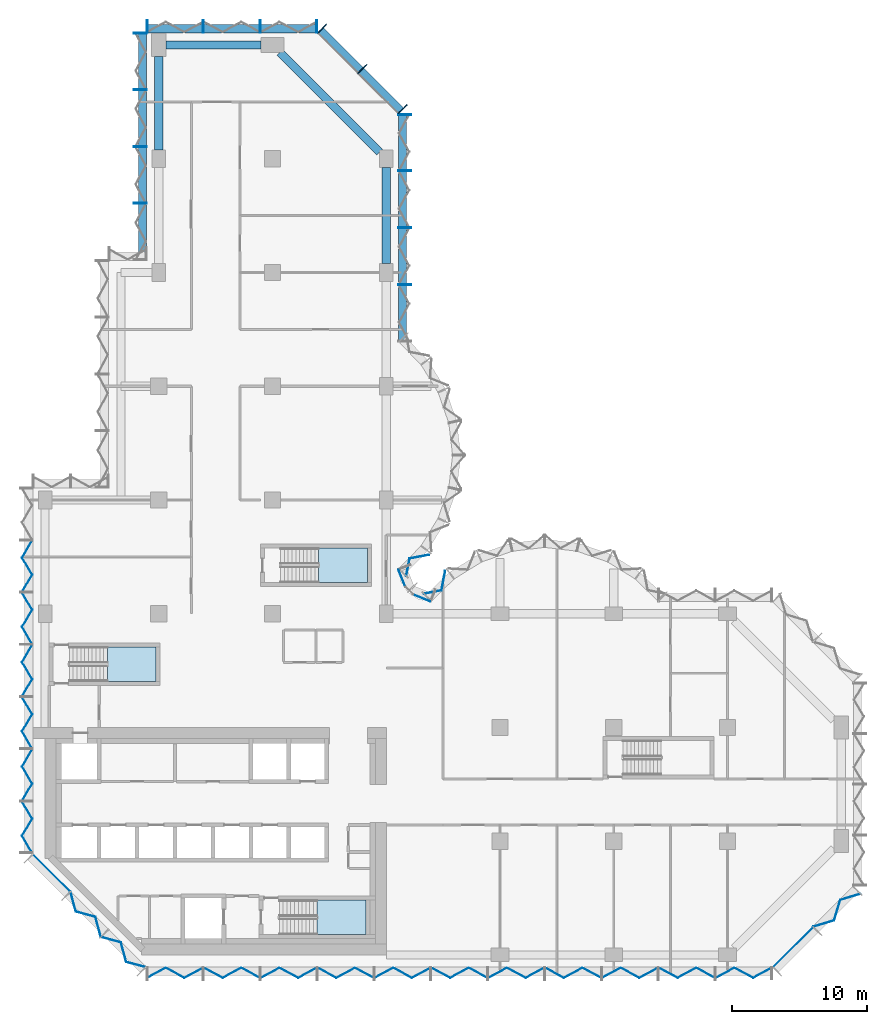
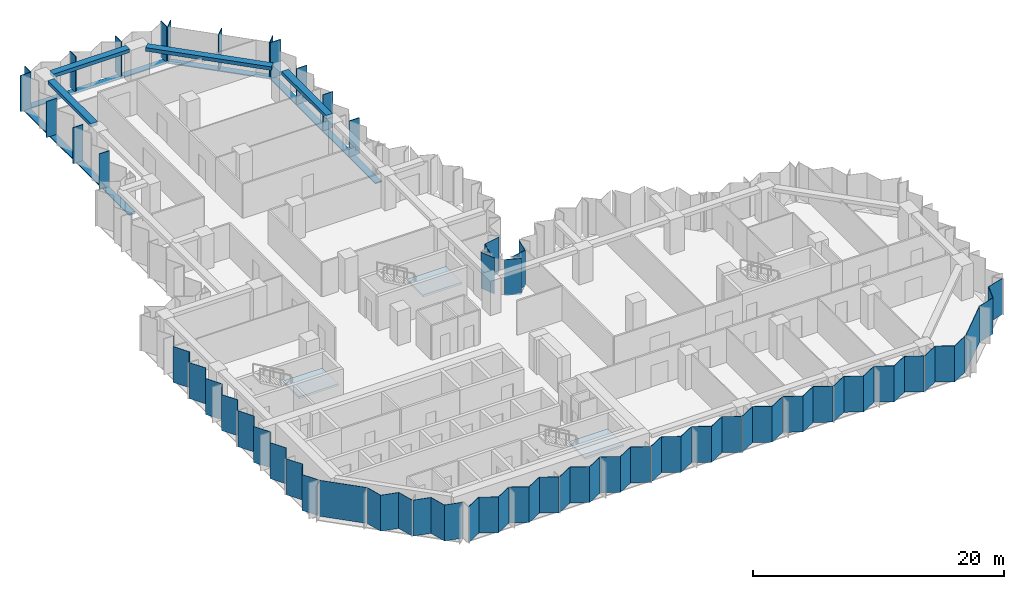
# One storey, part 3 of 11: 26 plates, 19 members, 4 beams, 3 slabs, 14 elements without a shape of their own.
"""IFC4 building model written with IfcOpenShell, lengths in metres."""

import ifcopenshell
import ifcopenshell.guid

model = None  # the IFC model being written
_history = None  # IfcOwnerHistory: only IFC2X3 demands one
_inside = {}  # id of a spatial element -> (the spatial element, [elements in it])
_under = {}  # id of a project, library or spatial element -> (it, [spatial elements below it])
_declared = {}  # id of a project -> (the project, [libraries it declares])
_typed = {}  # id of a type object -> (the type object, [elements of that type])
_made_of = {}  # id of a material, layer set ... -> (it, [elements and type objects made of it])


def new_model(schema):
    """Start an empty IFC model of exactly this schema.

    Asked for "IFC4X3", IfcOpenShell would pick the latest addendum, in which some entities
    have other attributes; the version numbers below select the first issue.
    IFC2X3 requires an IfcOwnerHistory on every rooted entity: one is made here for all.
    """
    global model, _history
    if schema == "IFC4X3":
        model = ifcopenshell.file(schema_version=(4, 3, 0, 0))
    else:
        model = ifcopenshell.file(schema=schema)
    _inside.clear()
    _under.clear()
    _declared.clear()
    _typed.clear()
    _made_of.clear()
    _history = None
    if model.schema == "IFC2X3":
        org = make("IfcOrganization", Name="unknown")
        user = make(
            "IfcPersonAndOrganization",
            ThePerson=make("IfcPerson", FamilyName="unknown"),
            TheOrganization=org,
        )
        app = make(
            "IfcApplication",
            ApplicationDeveloper=org,
            Version="unknown",
            ApplicationFullName="unknown",
            ApplicationIdentifier="unknown",
        )
        _history = make(
            "IfcOwnerHistory",
            OwningUser=user,
            OwningApplication=app,
            ChangeAction="ADDED",
            CreationDate=0,
        )
    return model


def make(cls, **values):
    """One entity of the class cls with the attributes given. An attribute that is None is left unset."""
    return model.create_entity(
        cls, **{name: value for name, value in values.items() if value is not None}
    )


def rooted(cls, **values):
    """An entity with a GlobalId (a new one), such as an element, a storey or a relation."""
    return make(cls, GlobalId=ifcopenshell.guid.new(), OwnerHistory=_history, **values)


def si_unit(unit_type, name, prefix=None):
    """IfcSIUnit, for example si_unit("LENGTHUNIT", "METRE", prefix="MILLI")."""
    return make("IfcSIUnit", UnitType=unit_type, Prefix=prefix, Name=name)


def assignment(units):
    """IfcUnitAssignment: the units of a project."""
    return None if units is None else make("IfcUnitAssignment", Units=units)


def point(xyz):
    """IfcCartesianPoint."""
    return None if xyz is None else make("IfcCartesianPoint", Coordinates=xyz)


def direction(xyz):
    """IfcDirection."""
    return None if xyz is None else make("IfcDirection", DirectionRatios=xyz)


def frame(location, z_axis=None, x_axis=None):
    """IfcAxis2Placement3D, a coordinate frame: its origin and axes. An axis left out is left unset."""
    return make(
        "IfcAxis2Placement3D",
        Location=point(location),
        Axis=direction(z_axis),
        RefDirection=direction(x_axis),
    )


def frame_2d(location, x_axis=None):
    """IfcAxis2Placement2D, a coordinate frame in the plane: its origin and x axis."""
    return make(
        "IfcAxis2Placement2D", Location=point(location), RefDirection=direction(x_axis)
    )


def origin():
    """The frame at (0, 0, 0) with its axes left unset."""
    return frame((0.0, 0.0, 0.0))


def origin_2d():
    """The frame at (0, 0) in the plane with its x axis left unset."""
    return frame_2d((0.0, 0.0))


def place(relative_to, where):
    """IfcLocalPlacement: puts the frame where relative to a parent placement (None: the world)."""
    return make(
        "IfcLocalPlacement", PlacementRelTo=relative_to, RelativePlacement=where
    )


def context(
    kind, dimensions, precision=None, world=None, true_north=None, identifier=None
):
    """IfcGeometricRepresentationContext, for example the 3D "Model" context."""
    return make(
        "IfcGeometricRepresentationContext",
        ContextIdentifier=identifier,
        ContextType=kind,
        CoordinateSpaceDimension=dimensions,
        Precision=precision,
        WorldCoordinateSystem=world,
        TrueNorth=true_north,
    )


def subcontext(parent, identifier, kind, view, scale=None):
    """IfcGeometricRepresentationSubContext, for example "Body" below "Model"."""
    return make(
        "IfcGeometricRepresentationSubContext",
        ContextIdentifier=identifier,
        ContextType=kind,
        ParentContext=parent,
        TargetScale=scale,
        TargetView=view,
    )


def project(units=None, contexts=None):
    """IfcProject with its units and contexts."""
    return rooted(
        "IfcProject",
        Name="project",
        RepresentationContexts=contexts,
        UnitsInContext=assignment(units),
    )


def spatial(cls, under=None, at=None, **own):
    """A site, building, storey or space (cls), placed at a placement, below another one or the project."""
    s = rooted(cls, ObjectPlacement=at, **own)
    if under is not None:
        _under.setdefault(under.id(), (under, []))[1].append(s)
    return s


def polyline(points):
    """IfcPolyline through the points."""
    return make("IfcPolyline", Points=[point(p) for p in points])


def profile(cls, at=None, kind="AREA", **sizes):
    """A parametric profile (cls). Its sizes go by their IFC names, for example OverallWidth=200.0."""
    return make(cls, ProfileType=kind, Position=at, **sizes)


def rectangle(**sizes):
    """IfcRectangleProfileDef."""
    return profile("IfcRectangleProfileDef", **sizes)


def outline(outer, holes=None, kind="AREA"):
    """IfcArbitraryClosedProfileDef: a profile drawn as a closed curve; with holes, ...WithVoids."""
    if holes is None:
        return make("IfcArbitraryClosedProfileDef", ProfileType=kind, OuterCurve=outer)
    return make(
        "IfcArbitraryProfileDefWithVoids",
        ProfileType=kind,
        OuterCurve=outer,
        InnerCurves=holes,
    )


def extrude(swept, where, along, depth):
    """IfcExtrudedAreaSolid: the profile swept, set in the frame where, extruded along a direction by depth."""
    return make(
        "IfcExtrudedAreaSolid",
        SweptArea=swept,
        Position=where,
        ExtrudedDirection=direction(along),
        Depth=depth,
    )


def shape(context_of_items, identifier, shape_type, items):
    """IfcShapeRepresentation: the items that make up one representation, for example the "Body"."""
    return make(
        "IfcShapeRepresentation",
        ContextOfItems=context_of_items,
        RepresentationIdentifier=identifier,
        RepresentationType=shape_type,
        Items=items,
    )


def material(Name=None, Category=None):
    """IfcMaterial."""
    return make("IfcMaterial", Name=Name, Category=Category)


def layer(
    of_material, thickness, ventilated=None, Name=None, Category=None, Priority=None
):
    """IfcMaterialLayer: one layer of a wall or slab, of a material (None: an air gap)."""
    return make(
        "IfcMaterialLayer",
        Material=of_material,
        LayerThickness=thickness,
        IsVentilated=ventilated,
        Name=Name,
        Category=Category,
        Priority=Priority,
    )


def layer_set(layers, Name=None):
    """IfcMaterialLayerSet."""
    return make("IfcMaterialLayerSet", MaterialLayers=layers, LayerSetName=Name)


def material_profile(
    of_material, cross_section, Name=None, Category=None, Priority=None
):
    """IfcMaterialProfile: a cross section and its material."""
    return make(
        "IfcMaterialProfile",
        Name=Name,
        Material=of_material,
        Profile=cross_section,
        Priority=Priority,
        Category=Category,
    )


def profile_set(profiles, Name=None, composite=None):
    """IfcMaterialProfileSet."""
    return make(
        "IfcMaterialProfileSet",
        Name=Name,
        MaterialProfiles=profiles,
        CompositeProfile=composite,
    )


def made_of(thing, what):
    """Note that an element or type object is made of a material, layer set ...; save() writes the relation."""
    if what is not None:
        _made_of.setdefault(what.id(), (what, []))[1].append(thing)
    return thing


def type_object(cls, material=None, **own):
    """A type object (cls), such as IfcWallType, which elements share."""
    return made_of(rooted(cls, **own), material)


def element(
    cls,
    number,
    at=None,
    inside=None,
    cuts=None,
    type_object=None,
    material=None,
    context=None,
    identifier="Body",
    shape_type=None,
    held_by="IfcProductDefinitionShape",
    body=None,
    shapes=None,
    **own,
):
    """One element of the class cls, such as IfcWall. Its Tag is "e" and its number.

    at: its placement. inside: the storey or other place that contains it. cuts: it is an
    opening in that element (IfcRelVoidsElement). A single representation is given by context,
    identifier, shape_type and body (its items); several are given by shapes. held_by: the class
    of the entity that holds the representations. save() writes the other relations.
    """
    e = rooted(cls, Tag="e%d" % number, ObjectPlacement=at, **own)
    if body is not None:
        shapes = [shape(context, identifier, shape_type, body)]
    if shapes is not None:
        e.Representation = make(held_by, Representations=shapes)
    if inside is not None:
        _inside.setdefault(inside.id(), (inside, []))[1].append(e)
    if cuts is not None:
        rooted(
            "IfcRelVoidsElement", RelatingBuildingElement=cuts, RelatedOpeningElement=e
        )
    if type_object is not None:
        _typed.setdefault(type_object.id(), (type_object, []))[1].append(e)
    return made_of(e, material)


def aggregate(whole, parts):
    """IfcRelAggregates: a whole, such as a stair, and the parts it consists of."""
    return rooted("IfcRelAggregates", RelatingObject=whole, RelatedObjects=parts)


def save(model, path):
    """Write the relations noted so far, then the file.

    IfcRelAggregates (storeys below a building ...), IfcRelContainedInSpatialStructure (elements
    in a storey), IfcRelDefinesByType, IfcRelAssociatesMaterial and IfcRelDeclares: one each for
    every whole, place, type object, material and project.
    """
    for whole, parts in _under.values():
        aggregate(whole, parts)
    for where, things in _inside.values():
        rooted(
            "IfcRelContainedInSpatialStructure",
            RelatedElements=things,
            RelatingStructure=where,
        )
    for kind, things in _typed.values():
        rooted("IfcRelDefinesByType", RelatedObjects=things, RelatingType=kind)
    for what, things in _made_of.values():
        rooted("IfcRelAssociatesMaterial", RelatedObjects=things, RelatingMaterial=what)
    for by, libraries in _declared.values():
        rooted("IfcRelDeclares", RelatingContext=by, RelatedDefinitions=libraries)
    model.write(path)


model = new_model("IFC4")

# Units and contexts
model_context = context("Model", 3, precision=1e-05, world=origin(), true_north=direction((0.0, 1.0)))
body_context = subcontext(model_context, "Body", "Model", "MODEL_VIEW")
ifc_project = project(units=[si_unit("LENGTHUNIT", "METRE"), si_unit("AREAUNIT", "SQUARE_METRE"), si_unit("VOLUMEUNIT", "CUBIC_METRE"), si_unit("PLANEANGLEUNIT", "RADIAN"), si_unit("MASSUNIT", "GRAM", prefix="KILO")], contexts=[model_context])

# Site, building, storey
site_placement = place(None, origin())
site = spatial("IfcSite", under=ifc_project, at=site_placement, CompositionType="ELEMENT")
building_placement = place(site_placement, origin())
building = spatial("IfcBuilding", under=site, at=building_placement, Name="Brevane Broadcast Tower", CompositionType="ELEMENT")
storey_placement = place(building_placement, frame((0.0, 0.0, 145.699951171875)))
storey = spatial("IfcBuildingStorey", under=building, at=storey_placement, Name="L36", CompositionType="ELEMENT", Elevation=145.699951171875)

# Curtain wall, members
ifc_material_1 = material(Name="Aluminium 6063-T6 bronze anodised", Category="aluminium")
curtain_wall_type = type_object("IfcCurtainWallType", Name="CW-1 curtain wall", PredefinedType="NOTDEFINED", material=ifc_material_1)
curtain_wall_1_placement = place(storey_placement, origin())
curtain_wall_1 = element("IfcCurtainWall", 1, at=curtain_wall_1_placement, inside=storey, type_object=curtain_wall_type, Name="CW-1 typical tilted unit L36 north arm east face", PredefinedType="NOTDEFINED")
ifc_material_profile_1 = material_profile(ifc_material_1, rectangle(XDim=0.949951171875, YDim=0.070068359375, at=origin_2d()), Name="RECT 70x950")
ifc_profile_set_1 = profile_set([ifc_material_profile_1], Name="Aluminium 6063-T6 bronze anodised")
member_type_1 = type_object("IfcMemberType", Name="CW-1 mullion 70x950", PredefinedType="MULLION", material=ifc_profile_set_1)
member_1_placement = place(storey_placement, frame((26.574951171875, 49.5, -0.14990234375), z_axis=(0.0, 0.0, 1.0), x_axis=(-1.0, 0.0, 0.0)))
member_1 = element("IfcMember", 2, at=member_1_placement, type_object=member_type_1, Name="CW-1 mullion", PredefinedType="MULLION", context=body_context, shape_type="SweptSolid", body=[
    extrude(rectangle(XDim=0.949951171875, YDim=0.070068359375, at=origin_2d()), origin(), (0.0, 0.0, 1.0), 3.5),
])
member_2_placement = place(storey_placement, frame((26.574951171875, 53.699951171875, -0.14990234375), z_axis=(0.0, 0.0, 1.0), x_axis=(-1.0, 0.0, 0.0)))
member_2 = element("IfcMember", 3, at=member_2_placement, type_object=member_type_1, Name="CW-1 mullion", PredefinedType="MULLION", context=body_context, shape_type="SweptSolid", body=[
    extrude(rectangle(XDim=0.949951171875, YDim=0.070068359375, at=origin_2d()), origin(), (0.0, 0.0, 1.0), 3.5),
])
member_3_placement = place(storey_placement, frame((26.574951171875, 57.89990234375, -0.14990234375), z_axis=(0.0, 0.0, 1.0), x_axis=(-1.0, 0.0, 0.0)))
member_3 = element("IfcMember", 4, at=member_3_placement, type_object=member_type_1, Name="CW-1 mullion", PredefinedType="MULLION", context=body_context, shape_type="SweptSolid", body=[
    extrude(rectangle(XDim=0.949951171875, YDim=0.070068359375, at=origin_2d()), origin(), (0.0, 0.0, 1.0), 3.5),
])
member_4_placement = place(storey_placement, frame((26.574951171875, 62.06494140625, -0.14990234375), z_axis=(0.0, 0.0, 1.0), x_axis=(-1.0, 0.0, 0.0)))
member_4 = element("IfcMember", 5, at=member_4_placement, type_object=member_type_1, Name="CW-1 mullion", PredefinedType="MULLION", context=body_context, shape_type="SweptSolid", body=[
    extrude(rectangle(XDim=0.949951171875, YDim=0.070068359375, at=origin_2d()), origin(), (0.0, 0.0, 1.0), 3.5),
])

curtain_wall_2_placement = place(storey_placement, origin())
curtain_wall_2 = element("IfcCurtainWall", 6, at=curtain_wall_2_placement, inside=storey, type_object=curtain_wall_type, Name="CW-1 typical tilted unit L36 north arm north-east chamfer", PredefinedType="NOTDEFINED")
member_5_placement = place(storey_placement, frame((26.4111328125, 62.460693359375, -0.14990234375), z_axis=(0.0, 0.0, 1.0), x_axis=(-0.707106781187, -0.707106781187, 0.0)))
member_5 = element("IfcMember", 7, at=member_5_placement, type_object=member_type_1, Name="CW-1 mullion", PredefinedType="MULLION", context=body_context, shape_type="SweptSolid", body=[
    extrude(rectangle(XDim=0.949951171875, YDim=0.070068359375, at=origin_2d()), origin(), (0.0, 0.0, 1.0), 3.5),
])
member_6_placement = place(storey_placement, frame((23.435791015625, 65.435791015625, -0.14990234375), z_axis=(0.0, 0.0, 1.0), x_axis=(-0.707106781187, -0.707106781187, 0.0)))
member_6 = element("IfcMember", 8, at=member_6_placement, type_object=member_type_1, Name="CW-1 mullion", PredefinedType="MULLION", context=body_context, shape_type="SweptSolid", body=[
    extrude(rectangle(XDim=0.949951171875, YDim=0.070068359375, at=origin_2d()), origin(), (0.0, 0.0, 1.0), 3.5),
])
member_7_placement = place(storey_placement, frame((20.460693359375, 68.4111328125, -0.14990234375), z_axis=(0.0, 0.0, 1.0), x_axis=(-0.707106781187, -0.707106781187, 0.0)))
member_7 = element("IfcMember", 9, at=member_7_placement, type_object=member_type_1, Name="CW-1 mullion", PredefinedType="MULLION", context=body_context, shape_type="SweptSolid", body=[
    extrude(rectangle(XDim=0.949951171875, YDim=0.070068359375, at=origin_2d()), origin(), (0.0, 0.0, 1.0), 3.5),
])

curtain_wall_3_placement = place(storey_placement, origin())
curtain_wall_3 = element("IfcCurtainWall", 10, at=curtain_wall_3_placement, inside=storey, type_object=curtain_wall_type, Name="CW-1 typical tilted unit L36 north end", PredefinedType="NOTDEFINED")
member_8_placement = place(storey_placement, frame((20.06494140625, 68.574951171875, -0.14990234375), z_axis=(0.0, 0.0, 1.0), x_axis=(0.0, -1.0, 0.0)))
member_8 = element("IfcMember", 11, at=member_8_placement, type_object=member_type_1, Name="CW-1 mullion", PredefinedType="MULLION", context=body_context, shape_type="SweptSolid", body=[
    extrude(rectangle(XDim=0.949951171875, YDim=0.070068359375, at=origin_2d()), origin(), (0.0, 0.0, 1.0), 3.5),
])
member_9_placement = place(storey_placement, frame((15.89990234375, 68.574951171875, -0.14990234375), z_axis=(0.0, 0.0, 1.0), x_axis=(0.0, -1.0, 0.0)))
member_9 = element("IfcMember", 12, at=member_9_placement, type_object=member_type_1, Name="CW-1 mullion", PredefinedType="MULLION", context=body_context, shape_type="SweptSolid", body=[
    extrude(rectangle(XDim=0.949951171875, YDim=0.070068359375, at=origin_2d()), origin(), (0.0, 0.0, 1.0), 3.5),
])
member_10_placement = place(storey_placement, frame((11.699951171875, 68.574951171875, -0.14990234375), z_axis=(0.0, 0.0, 1.0), x_axis=(0.0, -1.0, 0.0)))
member_10 = element("IfcMember", 13, at=member_10_placement, type_object=member_type_1, Name="CW-1 mullion", PredefinedType="MULLION", context=body_context, shape_type="SweptSolid", body=[
    extrude(rectangle(XDim=0.949951171875, YDim=0.070068359375, at=origin_2d()), origin(), (0.0, 0.0, 1.0), 3.5),
])
member_11_placement = place(storey_placement, frame((7.534912109375, 68.574951171875, -0.14990234375), z_axis=(0.0, 0.0, 1.0), x_axis=(0.0, -1.0, 0.0)))
member_11 = element("IfcMember", 14, at=member_11_placement, type_object=member_type_1, Name="CW-1 mullion", PredefinedType="MULLION", context=body_context, shape_type="SweptSolid", body=[
    extrude(rectangle(XDim=0.949951171875, YDim=0.070068359375, at=origin_2d()), origin(), (0.0, 0.0, 1.0), 3.5),
])

curtain_wall_4_placement = place(storey_placement, origin())
curtain_wall_4 = element("IfcCurtainWall", 15, at=curtain_wall_4_placement, inside=storey, type_object=curtain_wall_type, Name="CW-1 typical tilted unit L36 north wing west face above the set-back", PredefinedType="NOTDEFINED")
member_12_placement = place(storey_placement, frame((7.02490234375, 68.06494140625, -0.14990234375), z_axis=(0.0, 0.0, 1.0), x_axis=(1.0, 0.0, 0.0)))
member_12 = element("IfcMember", 16, at=member_12_placement, type_object=member_type_1, Name="CW-1 mullion", PredefinedType="MULLION", context=body_context, shape_type="SweptSolid", body=[
    extrude(rectangle(XDim=0.949951171875, YDim=0.070068359375, at=origin_2d()), origin(), (0.0, 0.0, 1.0), 3.5),
])
member_13_placement = place(storey_placement, frame((7.02490234375, 63.89990234375, -0.14990234375), z_axis=(0.0, 0.0, 1.0), x_axis=(1.0, 0.0, 0.0)))
member_13 = element("IfcMember", 17, at=member_13_placement, type_object=member_type_1, Name="CW-1 mullion", PredefinedType="MULLION", context=body_context, shape_type="SweptSolid", body=[
    extrude(rectangle(XDim=0.949951171875, YDim=0.070068359375, at=origin_2d()), origin(), (0.0, 0.0, 1.0), 3.5),
])
member_14_placement = place(storey_placement, frame((7.02490234375, 59.699951171875, -0.14990234375), z_axis=(0.0, 0.0, 1.0), x_axis=(1.0, 0.0, 0.0)))
member_14 = element("IfcMember", 18, at=member_14_placement, type_object=member_type_1, Name="CW-1 mullion", PredefinedType="MULLION", context=body_context, shape_type="SweptSolid", body=[
    extrude(rectangle(XDim=0.949951171875, YDim=0.070068359375, at=origin_2d()), origin(), (0.0, 0.0, 1.0), 3.5),
])
member_15_placement = place(storey_placement, frame((7.02490234375, 55.5, -0.14990234375), z_axis=(0.0, 0.0, 1.0), x_axis=(1.0, 0.0, 0.0)))
member_15 = element("IfcMember", 19, at=member_15_placement, type_object=member_type_1, Name="CW-1 mullion", PredefinedType="MULLION", context=body_context, shape_type="SweptSolid", body=[
    extrude(rectangle(XDim=0.949951171875, YDim=0.070068359375, at=origin_2d()), origin(), (0.0, 0.0, 1.0), 3.5),
])

# Member
ifc_material_profile_2 = material_profile(ifc_material_1, rectangle(XDim=0.60009765625, YDim=0.10009765625, at=origin_2d()), Name="RECT 100x600")
ifc_profile_set_2 = profile_set([ifc_material_profile_2], Name="Aluminium 6063-T6 bronze anodised")
member_type_2 = type_object("IfcMemberType", Name="CW-1 transom 100x600", PredefinedType="USERDEFINED", material=ifc_profile_set_2)
member_16_placement = place(storey_placement, frame((26.39990234375, 45.300048828125, -0.199951171875), z_axis=(0.0, 1.0, 0.0), x_axis=(-1.0, 0.0, 0.0)))
member_16 = element("IfcMember", 20, at=member_16_placement, type_object=member_type_2, Name="CW-1 transom", ObjectType="TRANSOM", PredefinedType="USERDEFINED", context=body_context, shape_type="SweptSolid", body=[
    extrude(rectangle(XDim=0.60009765625, YDim=0.10009765625, at=origin_2d()), origin(), (0.0, 0.0, 1.0), 16.800048828125),
])

aggregate(curtain_wall_1, [member_1, member_2, member_3, member_4, member_16])

member_17_placement = place(storey_placement, frame((26.31201171875, 62.31201171875, -0.199951171875), z_axis=(-0.707106781187, 0.707106781187, 0.0), x_axis=(-0.707106781187, -0.707106781187, 0.0)))
member_17 = element("IfcMember", 21, at=member_17_placement, type_object=member_type_2, Name="CW-1 transom", ObjectType="TRANSOM", PredefinedType="USERDEFINED", context=body_context, shape_type="SweptSolid", body=[
    extrude(rectangle(XDim=0.60009765625, YDim=0.10009765625, at=origin_2d()), origin(), (0.0, 0.0, 1.0), 8.4853515625),
])

aggregate(curtain_wall_2, [member_5, member_6, member_7, member_17])

member_18_placement = place(storey_placement, frame((20.10009765625, 68.39990234375, -0.199951171875), z_axis=(-1.0, 0.0, 0.0), x_axis=(0.0, -1.0, 0.0)))
member_18 = element("IfcMember", 22, at=member_18_placement, type_object=member_type_2, Name="CW-1 transom", ObjectType="TRANSOM", PredefinedType="USERDEFINED", context=body_context, shape_type="SweptSolid", body=[
    extrude(rectangle(XDim=0.60009765625, YDim=0.10009765625, at=origin_2d()), origin(), (0.0, 0.0, 1.0), 12.60009765625),
])

aggregate(curtain_wall_3, [member_8, member_9, member_10, member_11, member_18])

member_19_placement = place(storey_placement, frame((7.199951171875, 68.10009765625, -0.199951171875), z_axis=(0.0, -1.0, 0.0), x_axis=(1.0, 0.0, 0.0)))
member_19 = element("IfcMember", 23, at=member_19_placement, type_object=member_type_2, Name="CW-1 transom", ObjectType="TRANSOM", PredefinedType="USERDEFINED", context=body_context, shape_type="SweptSolid", body=[
    extrude(rectangle(XDim=0.60009765625, YDim=0.10009765625, at=origin_2d()), origin(), (0.0, 0.0, 1.0), 16.800048828125),
])

aggregate(curtain_wall_4, [member_12, member_13, member_14, member_15, member_19])

# Beams
ifc_material_2 = material(Name="Concrete C40/50", Category="concrete")
ifc_material_profile_3 = material_profile(ifc_material_2, rectangle(XDim=0.60009765625, YDim=0.35009765625, at=origin_2d()), Name="RC 600x350")
ifc_profile_set_3 = profile_set([ifc_material_profile_3], Name="Concrete C40/50")
beam_type = type_object("IfcBeamType", Name="RC SPANDREL BEAM 600x350 C40/50", PredefinedType="SPANDREL", material=ifc_profile_set_3)
beam_1_placement = place(storey_placement, frame((25.199951171875, 51.050048828125, 3.175048828125), z_axis=(0.0, 1.0, 0.0), x_axis=(-1.0, 0.0, 0.0)))
element("IfcBeam", 24, at=beam_1_placement, inside=storey, type_object=beam_type, Name="EB1 L36-13", PredefinedType="SPANDREL", context=body_context, shape_type="SweptSolid", body=[
    extrude(rectangle(XDim=0.60009765625, YDim=0.35009765625, at=origin_2d()), origin(), (0.0, 0.0, 1.0), 7.099853515625),
])
beam_2_placement = place(storey_placement, frame((24.699951171875, 59.300048828125, 3.175048828125), z_axis=(-0.707106781187, 0.707106781187, 0.0), x_axis=(-0.707106781187, -0.707106781187, 0.0)))
element("IfcBeam", 25, at=beam_2_placement, inside=storey, type_object=beam_type, Name="EB1 L36-14", PredefinedType="SPANDREL", context=body_context, shape_type="SweptSolid", body=[
    extrude(rectangle(XDim=0.60009765625, YDim=0.35009765625, at=origin_2d()), origin(), (0.0, 0.0, 1.0), 10.394287109375),
])
beam_3_placement = place(storey_placement, frame((15.949951171875, 67.199951171875, 3.175048828125), z_axis=(-1.0, 0.0, 0.0), x_axis=(0.0, -1.0, 0.0)))
element("IfcBeam", 26, at=beam_3_placement, inside=storey, type_object=beam_type, Name="EB1 L36-15", PredefinedType="SPANDREL", context=body_context, shape_type="SweptSolid", body=[
    extrude(rectangle(XDim=0.60009765625, YDim=0.35009765625, at=origin_2d()), origin(), (0.0, 0.0, 1.0), 7.0),
])
beam_4_placement = place(storey_placement, frame((8.39990234375, 59.449951171875, 3.175048828125), z_axis=(0.0, 1.0, 0.0), x_axis=(-1.0, 0.0, 0.0)))
element("IfcBeam", 27, at=beam_4_placement, inside=storey, type_object=beam_type, Name="EB1 L36-23", PredefinedType="SPANDREL", context=body_context, shape_type="SweptSolid", body=[
    extrude(rectangle(XDim=0.60009765625, YDim=0.35009765625, at=origin_2d()), origin(), (0.0, 0.0, 1.0), 6.900146484375),
])

# Curtain wall, plates
curtain_wall_5_placement = place(storey_placement, origin())
curtain_wall_5 = element("IfcCurtainWall", 28, at=curtain_wall_5_placement, inside=storey, type_object=curtain_wall_type, Name="CW-1 typical tilted unit L36 south face", PredefinedType="NOTDEFINED")
ifc_material_3 = material(Name="Laminated glass bronze-tinted", Category="glass")
ifc_layer_1 = layer(ifc_material_3, 0.0400390625)
ifc_layer_set_1 = layer_set([ifc_layer_1], Name="CW tall glass panel 40")
plate_type = type_object("IfcPlateType", Name="CW tall glass panel 40", PredefinedType="CURTAIN_PANEL", material=ifc_layer_set_1)
plate_1_placement = place(storey_placement, frame((0.0, 0.0, -0.14990234375)))
plate_1 = element("IfcPlate", 29, at=plate_1_placement, type_object=plate_type, Name="CW-1 glass panel", PredefinedType="CURTAIN_PANEL", context=body_context, shape_type="SweptSolid", body=[
    extrude(outline(polyline([(7.534912109375, -1.671630859375), (7.534912109375, -1.717041015625), (8.91162109375, -0.97265625), (10.288330078125, -1.717041015625), (11.6650390625, -0.97265625), (11.6650390625, -0.92724609375), (10.288330078125, -1.671630859375), (8.91162109375, -0.92724609375), (7.534912109375, -1.671630859375)])), origin(), (0.0, 0.0, 1.0), 3.5),
])
plate_2_placement = place(storey_placement, frame((0.0, 0.0, -0.14990234375)))
plate_2 = element("IfcPlate", 30, at=plate_2_placement, type_object=plate_type, Name="CW-1 glass panel", PredefinedType="CURTAIN_PANEL", context=body_context, shape_type="SweptSolid", body=[
    extrude(outline(polyline([(11.735107421875, -0.92724609375), (11.735107421875, -0.97265625), (13.11181640625, -1.717041015625), (14.48828125, -0.97265625), (15.864990234375, -1.717041015625), (15.864990234375, -1.671630859375), (14.48828125, -0.92724609375), (13.11181640625, -1.671630859375), (11.735107421875, -0.92724609375)])), origin(), (0.0, 0.0, 1.0), 3.5),
])
plate_3_placement = place(storey_placement, frame((0.0, 0.0, -0.14990234375)))
plate_3 = element("IfcPlate", 31, at=plate_3_placement, type_object=plate_type, Name="CW-1 glass panel", PredefinedType="CURTAIN_PANEL", context=body_context, shape_type="SweptSolid", body=[
    extrude(outline(polyline([(15.93505859375, -1.671630859375), (15.93505859375, -1.717041015625), (17.311767578125, -0.97265625), (18.688232421875, -1.717041015625), (20.06494140625, -0.97265625), (20.06494140625, -0.92724609375), (18.688232421875, -1.671630859375), (17.311767578125, -0.92724609375), (15.93505859375, -1.671630859375)])), origin(), (0.0, 0.0, 1.0), 3.5),
])
plate_4_placement = place(storey_placement, frame((0.0, 0.0, -0.14990234375)))
plate_4 = element("IfcPlate", 32, at=plate_4_placement, type_object=plate_type, Name="CW-1 glass panel", PredefinedType="CURTAIN_PANEL", context=body_context, shape_type="SweptSolid", body=[
    extrude(outline(polyline([(20.135009765625, -0.92724609375), (20.135009765625, -0.97265625), (21.51171875, -1.717041015625), (22.88818359375, -0.97265625), (24.264892578125, -1.717041015625), (24.264892578125, -1.671630859375), (22.88818359375, -0.92724609375), (21.51171875, -1.671630859375), (20.135009765625, -0.92724609375)])), origin(), (0.0, 0.0, 1.0), 3.5),
])
plate_5_placement = place(storey_placement, frame((0.0, 0.0, -0.14990234375)))
plate_5 = element("IfcPlate", 33, at=plate_5_placement, type_object=plate_type, Name="CW-1 glass panel", PredefinedType="CURTAIN_PANEL", context=body_context, shape_type="SweptSolid", body=[
    extrude(outline(polyline([(24.3349609375, -1.671630859375), (24.3349609375, -1.717041015625), (25.711669921875, -0.97265625), (27.08837890625, -1.717041015625), (28.465087890625, -0.97265625), (28.465087890625, -0.92724609375), (27.08837890625, -1.671630859375), (25.711669921875, -0.92724609375), (24.3349609375, -1.671630859375)])), origin(), (0.0, 0.0, 1.0), 3.5),
])
plate_6_placement = place(storey_placement, frame((0.0, 0.0, -0.14990234375)))
plate_6 = element("IfcPlate", 34, at=plate_6_placement, type_object=plate_type, Name="CW-1 glass panel", PredefinedType="CURTAIN_PANEL", context=body_context, shape_type="SweptSolid", body=[
    extrude(outline(polyline([(28.534912109375, -0.92724609375), (28.534912109375, -0.97265625), (29.91162109375, -1.717041015625), (31.288330078125, -0.97265625), (32.6650390625, -1.717041015625), (32.6650390625, -1.671630859375), (31.288330078125, -0.92724609375), (29.91162109375, -1.671630859375), (28.534912109375, -0.92724609375)])), origin(), (0.0, 0.0, 1.0), 3.5),
])
plate_7_placement = place(storey_placement, frame((0.0, 0.0, -0.14990234375)))
plate_7 = element("IfcPlate", 35, at=plate_7_placement, type_object=plate_type, Name="CW-1 glass panel", PredefinedType="CURTAIN_PANEL", context=body_context, shape_type="SweptSolid", body=[
    extrude(outline(polyline([(32.735107421875, -1.671630859375), (32.735107421875, -1.717041015625), (34.11181640625, -0.97265625), (35.48828125, -1.717041015625), (36.864990234375, -0.97265625), (36.864990234375, -0.92724609375), (35.48828125, -1.671630859375), (34.11181640625, -0.92724609375), (32.735107421875, -1.671630859375)])), origin(), (0.0, 0.0, 1.0), 3.5),
])
plate_8_placement = place(storey_placement, frame((0.0, 0.0, -0.14990234375)))
plate_8 = element("IfcPlate", 36, at=plate_8_placement, type_object=plate_type, Name="CW-1 glass panel", PredefinedType="CURTAIN_PANEL", context=body_context, shape_type="SweptSolid", body=[
    extrude(outline(polyline([(36.93505859375, -0.92724609375), (36.93505859375, -0.97265625), (38.311767578125, -1.717041015625), (39.688232421875, -0.97265625), (41.06494140625, -1.717041015625), (41.06494140625, -1.671630859375), (39.688232421875, -0.92724609375), (38.311767578125, -1.671630859375), (36.93505859375, -0.92724609375)])), origin(), (0.0, 0.0, 1.0), 3.5),
])
plate_9_placement = place(storey_placement, frame((0.0, 0.0, -0.14990234375)))
plate_9 = element("IfcPlate", 37, at=plate_9_placement, type_object=plate_type, Name="CW-1 glass panel", PredefinedType="CURTAIN_PANEL", context=body_context, shape_type="SweptSolid", body=[
    extrude(outline(polyline([(41.135009765625, -1.671630859375), (41.135009765625, -1.717041015625), (42.51171875, -0.97265625), (43.88818359375, -1.717041015625), (45.264892578125, -0.97265625), (45.264892578125, -0.92724609375), (43.88818359375, -1.671630859375), (42.51171875, -0.92724609375), (41.135009765625, -1.671630859375)])), origin(), (0.0, 0.0, 1.0), 3.5),
])
plate_10_placement = place(storey_placement, frame((0.0, 0.0, -0.14990234375)))
plate_10 = element("IfcPlate", 38, at=plate_10_placement, type_object=plate_type, Name="CW-1 glass panel", PredefinedType="CURTAIN_PANEL", context=body_context, shape_type="SweptSolid", body=[
    extrude(outline(polyline([(45.3349609375, -0.92724609375), (45.3349609375, -0.97265625), (46.711669921875, -1.717041015625), (48.08837890625, -0.97265625), (49.465087890625, -1.717041015625), (49.465087890625, -1.671630859375), (48.08837890625, -0.92724609375), (46.711669921875, -1.671630859375), (45.3349609375, -0.92724609375)])), origin(), (0.0, 0.0, 1.0), 3.5),
])
plate_11_placement = place(storey_placement, frame((0.0, 0.0, -0.14990234375)))
plate_11 = element("IfcPlate", 39, at=plate_11_placement, type_object=plate_type, Name="CW-1 glass panel", PredefinedType="CURTAIN_PANEL", context=body_context, shape_type="SweptSolid", body=[
    extrude(outline(polyline([(49.534912109375, -1.671630859375), (49.534912109375, -1.717041015625), (50.91162109375, -0.97265625), (52.288330078125, -1.717041015625), (53.6650390625, -0.97265625), (53.6650390625, -0.92724609375), (52.288330078125, -1.671630859375), (50.91162109375, -0.92724609375), (49.534912109375, -1.671630859375)])), origin(), (0.0, 0.0, 1.0), 3.5),
])
aggregate(curtain_wall_5, [plate_1, plate_2, plate_3, plate_4, plate_5, plate_6, plate_7, plate_8, plate_9, plate_10, plate_11])

curtain_wall_6_placement = place(storey_placement, origin())
curtain_wall_6 = element("IfcCurtainWall", 40, at=curtain_wall_6_placement, inside=storey, type_object=curtain_wall_type, Name="CW-1 typical tilted unit L36 south-east chamfer", PredefinedType="NOTDEFINED")
plate_12_placement = place(storey_placement, frame((0.0, 0.0, -0.14990234375)))
plate_12 = element("IfcPlate", 41, at=plate_12_placement, type_object=plate_type, Name="CW-1 glass panel", PredefinedType="CURTAIN_PANEL", context=body_context, shape_type="SweptSolid", body=[
    extrude(outline(polyline([(53.74609375, -0.896484375), (56.696533203125, 2.053955078125), (56.724609375, 2.02587890625), (53.774169921875, -0.9248046875), (53.74609375, -0.896484375)])), origin(), (0.0, 0.0, 1.0), 3.5),
])
plate_13_placement = place(storey_placement, frame((0.0, 0.0, -0.14990234375)))
plate_13 = element("IfcPlate", 42, at=plate_13_placement, type_object=plate_type, Name="CW-1 glass panel", PredefinedType="CURTAIN_PANEL", context=body_context, shape_type="SweptSolid", body=[
    extrude(outline(polyline([(56.744140625, 2.10546875), (56.776123046875, 2.073486328125), (58.285888671875, 2.530517578125), (58.7431640625, 4.040283203125), (60.2529296875, 4.49755859375), (60.220947265625, 4.529541015625), (58.711181640625, 4.072509765625), (58.25390625, 2.5625), (56.744140625, 2.10546875)])), origin(), (0.0, 0.0, 1.0), 3.5),
])
aggregate(curtain_wall_6, [plate_12, plate_13])

# Curtain wall, plate
curtain_wall_7_placement = place(storey_placement, origin())
curtain_wall_7 = element("IfcCurtainWall", 43, at=curtain_wall_7_placement, inside=storey, type_object=curtain_wall_type, Name="CW-1 typical tilted unit L36 east bow", PredefinedType="NOTDEFINED")
plate_14_placement = place(storey_placement, frame((0.0, 0.0, -0.14990234375)))
plate_14 = element("IfcPlate", 44, at=plate_14_placement, type_object=plate_type, Name="CW-1 glass panel", PredefinedType="CURTAIN_PANEL", context=body_context, shape_type="SweptSolid", body=[
    extrude(outline(polyline([(29.568603515625, 28.34375), (29.535888671875, 28.3857421875), (29.2607421875, 26.9423828125), (27.975341796875, 26.690185546875), (28.008544921875, 26.656005859375), (29.294921875, 26.908203125), (29.568603515625, 28.34375)])), origin(), (0.0, 0.0, 1.0), 3.5),
])
aggregate(curtain_wall_7, [plate_14])

# Curtain wall, plates
curtain_wall_8_placement = place(storey_placement, origin())
curtain_wall_8 = element("IfcCurtainWall", 45, at=curtain_wall_8_placement, inside=storey, type_object=curtain_wall_type, Name="CW-1 typical tilted unit L36 inner corner", PredefinedType="NOTDEFINED")
plate_15_placement = place(storey_placement, frame((0.0, 0.0, -0.14990234375)))
plate_15 = element("IfcPlate", 46, at=plate_15_placement, type_object=plate_type, Name="CW-1 glass panel", PredefinedType="CURTAIN_PANEL", context=body_context, shape_type="SweptSolid", body=[
    extrude(outline(polyline([(28.45166015625, 26.07470703125), (28.466796875, 26.111572265625), (27.2021484375, 26.635498046875), (27.17138671875, 26.60498046875), (28.45166015625, 26.07470703125)])), origin(), (0.0, 0.0, 1.0), 3.5),
])
plate_16_placement = place(storey_placement, frame((0.0, 0.0, -0.14990234375)))
plate_16 = element("IfcPlate", 47, at=plate_16_placement, type_object=plate_type, Name="CW-1 glass panel", PredefinedType="CURTAIN_PANEL", context=body_context, shape_type="SweptSolid", body=[
    extrude(outline(polyline([(26.60498046875, 27.17138671875), (26.635498046875, 27.2021484375), (26.111572265625, 28.466796875), (26.07470703125, 28.45166015625), (26.60498046875, 27.17138671875)])), origin(), (0.0, 0.0, 1.0), 3.5),
])
aggregate(curtain_wall_8, [plate_15, plate_16])

# Curtain wall, plate
curtain_wall_9_placement = place(storey_placement, origin())
curtain_wall_9 = element("IfcCurtainWall", 48, at=curtain_wall_9_placement, inside=storey, type_object=curtain_wall_type, Name="CW-1 typical tilted unit L36 north bow", PredefinedType="NOTDEFINED")
plate_17_placement = place(storey_placement, frame((0.0, 0.0, -0.14990234375)))
plate_17 = element("IfcPlate", 49, at=plate_17_placement, type_object=plate_type, Name="CW-1 glass panel", PredefinedType="CURTAIN_PANEL", context=body_context, shape_type="SweptSolid", body=[
    extrude(outline(polyline([(26.656005859375, 28.008544921875), (26.690185546875, 27.975341796875), (26.9423828125, 29.2607421875), (28.3857421875, 29.535888671875), (28.34375, 29.568603515625), (26.908203125, 29.294921875), (26.656005859375, 28.008544921875)])), origin(), (0.0, 0.0, 1.0), 3.5),
])
aggregate(curtain_wall_9, [plate_17])

# Curtain wall, plates
curtain_wall_10_placement = place(storey_placement, origin())
curtain_wall_10 = element("IfcCurtainWall", 50, at=curtain_wall_10_placement, inside=storey, type_object=curtain_wall_type, Name="CW-1 typical tilted unit L36 west face", PredefinedType="NOTDEFINED")
plate_18_placement = place(storey_placement, frame((0.0, 0.0, -0.14990234375)))
plate_18 = element("IfcPlate", 51, at=plate_18_placement, type_object=plate_type, Name="CW-1 glass panel", PredefinedType="CURTAIN_PANEL", context=body_context, shape_type="SweptSolid", body=[
    extrude(outline(polyline([(-0.9267578125, 30.60791015625), (-0.97314453125, 30.60791015625), (-1.717529296875, 29.345458984375), (-0.97314453125, 28.0830078125), (-1.717529296875, 26.82080078125), (-1.671142578125, 26.82080078125), (-0.9267578125, 28.0830078125), (-1.671142578125, 29.345458984375), (-0.9267578125, 30.60791015625)])), origin(), (0.0, 0.0, 1.0), 3.5),
])
plate_19_placement = place(storey_placement, frame((0.0, 0.0, -0.14990234375)))
plate_19 = element("IfcPlate", 52, at=plate_19_placement, type_object=plate_type, Name="CW-1 glass panel", PredefinedType="CURTAIN_PANEL", context=body_context, shape_type="SweptSolid", body=[
    extrude(outline(polyline([(-1.671142578125, 26.750732421875), (-1.717529296875, 26.750732421875), (-0.97314453125, 25.48828125), (-1.717529296875, 24.22607421875), (-0.97314453125, 22.963623046875), (-0.9267578125, 22.963623046875), (-1.671142578125, 24.22607421875), (-0.9267578125, 25.48828125), (-1.671142578125, 26.750732421875)])), origin(), (0.0, 0.0, 1.0), 3.5),
])
plate_20_placement = place(storey_placement, frame((0.0, 0.0, -0.14990234375)))
plate_20 = element("IfcPlate", 53, at=plate_20_placement, type_object=plate_type, Name="CW-1 glass panel", PredefinedType="CURTAIN_PANEL", context=body_context, shape_type="SweptSolid", body=[
    extrude(outline(polyline([(-0.9267578125, 22.8935546875), (-0.97314453125, 22.8935546875), (-1.717529296875, 21.631103515625), (-0.97314453125, 20.368896484375), (-1.717529296875, 19.1064453125), (-1.671142578125, 19.1064453125), (-0.9267578125, 20.368896484375), (-1.671142578125, 21.631103515625), (-0.9267578125, 22.8935546875)])), origin(), (0.0, 0.0, 1.0), 3.5),
])
plate_21_placement = place(storey_placement, frame((0.0, 0.0, -0.14990234375)))
plate_21 = element("IfcPlate", 54, at=plate_21_placement, type_object=plate_type, Name="CW-1 glass panel", PredefinedType="CURTAIN_PANEL", context=body_context, shape_type="SweptSolid", body=[
    extrude(outline(polyline([(-1.671142578125, 19.036376953125), (-1.717529296875, 19.036376953125), (-0.97314453125, 17.77392578125), (-1.717529296875, 16.51171875), (-0.97314453125, 15.249267578125), (-0.9267578125, 15.249267578125), (-1.671142578125, 16.51171875), (-0.9267578125, 17.77392578125), (-1.671142578125, 19.036376953125)])), origin(), (0.0, 0.0, 1.0), 3.5),
])
plate_22_placement = place(storey_placement, frame((0.0, 0.0, -0.14990234375)))
plate_22 = element("IfcPlate", 55, at=plate_22_placement, type_object=plate_type, Name="CW-1 glass panel", PredefinedType="CURTAIN_PANEL", context=body_context, shape_type="SweptSolid", body=[
    extrude(outline(polyline([(-0.9267578125, 15.17919921875), (-0.97314453125, 15.17919921875), (-1.717529296875, 13.9169921875), (-0.97314453125, 12.654541015625), (-1.717529296875, 11.39208984375), (-1.671142578125, 11.39208984375), (-0.9267578125, 12.654541015625), (-1.671142578125, 13.9169921875), (-0.9267578125, 15.17919921875)])), origin(), (0.0, 0.0, 1.0), 3.5),
])
plate_23_placement = place(storey_placement, frame((0.0, 0.0, -0.14990234375)))
plate_23 = element("IfcPlate", 56, at=plate_23_placement, type_object=plate_type, Name="CW-1 glass panel", PredefinedType="CURTAIN_PANEL", context=body_context, shape_type="SweptSolid", body=[
    extrude(outline(polyline([(-1.671142578125, 11.322021484375), (-1.717529296875, 11.322021484375), (-0.97314453125, 10.059814453125), (-1.717529296875, 8.79736328125), (-0.97314453125, 7.534912109375), (-0.9267578125, 7.534912109375), (-1.671142578125, 8.79736328125), (-0.9267578125, 10.059814453125), (-1.671142578125, 11.322021484375)])), origin(), (0.0, 0.0, 1.0), 3.5),
])
aggregate(curtain_wall_10, [plate_18, plate_19, plate_20, plate_21, plate_22, plate_23])

curtain_wall_11_placement = place(storey_placement, origin())
curtain_wall_11 = element("IfcCurtainWall", 57, at=curtain_wall_11_placement, inside=storey, type_object=curtain_wall_type, Name="CW-1 typical tilted unit L36 south-west chamfer", PredefinedType="NOTDEFINED")
plate_24_placement = place(storey_placement, frame((0.0, 0.0, -0.14990234375)))
plate_24 = element("IfcPlate", 58, at=plate_24_placement, type_object=plate_type, Name="CW-1 glass panel", PredefinedType="CURTAIN_PANEL", context=body_context, shape_type="SweptSolid", body=[
    extrude(outline(polyline([(-0.896484375, 7.4541015625), (1.85400390625, 4.70361328125), (1.82568359375, 4.67529296875), (-0.9248046875, 7.42578125), (-0.896484375, 7.4541015625)])), origin(), (0.0, 0.0, 1.0), 3.5),
])
plate_25_placement = place(storey_placement, frame((0.0, 0.0, -0.14990234375)))
plate_25 = element("IfcPlate", 59, at=plate_25_placement, type_object=plate_type, Name="CW-1 glass panel", PredefinedType="CURTAIN_PANEL", context=body_context, shape_type="SweptSolid", body=[
    extrude(outline(polyline([(1.90576171875, 4.65625), (1.873046875, 4.62353515625), (2.263671875, 3.180419921875), (3.706787109375, 2.789794921875), (4.09716796875, 1.3466796875), (4.1298828125, 1.37939453125), (3.739501953125, 2.822509765625), (2.296142578125, 3.212890625), (1.90576171875, 4.65625)])), origin(), (0.0, 0.0, 1.0), 3.5),
])
plate_26_placement = place(storey_placement, frame((0.0, 0.0, -0.14990234375)))
plate_26 = element("IfcPlate", 60, at=plate_26_placement, type_object=plate_type, Name="CW-1 glass panel", PredefinedType="CURTAIN_PANEL", context=body_context, shape_type="SweptSolid", body=[
    extrude(outline(polyline([(4.17919921875, 1.329833984375), (4.146728515625, 1.297119140625), (5.58984375, 0.90673828125), (5.98046875, -0.536376953125), (7.423583984375, -0.927001953125), (7.456298828125, -0.894287109375), (6.012939453125, -0.50390625), (5.62255859375, 0.939453125), (4.17919921875, 1.329833984375)])), origin(), (0.0, 0.0, 1.0), 3.5),
])
aggregate(curtain_wall_11, [plate_24, plate_25, plate_26])

# Stair, slab
ifc_material_4 = material(Name="Concrete C50/60", Category="concrete")
stair_type = type_object("IfcStairType", Name="Exit stair 22 risers", PredefinedType="HALF_TURN_STAIR", material=ifc_material_4)
stair_1_placement = place(storey_placement, origin())
stair_1 = element("IfcStair", 61, at=stair_1_placement, inside=storey, type_object=stair_type, Name="L36 Exit stair ST-1", PredefinedType="HALF_TURN_STAIR")
ifc_layer_2 = layer(ifc_material_4, 0.199951171875)
ifc_layer_set_2 = layer_set([ifc_layer_2], Name="Exit stair landing")
slab_type = type_object("IfcSlabType", Name="Exit stair landing", PredefinedType="LANDING", material=ifc_layer_set_2)
slab_1_placement = place(storey_placement, frame((0.0, 0.0, 1.60009765625)))
slab_1 = element("IfcSlab", 62, at=slab_1_placement, type_object=slab_type, Name="ST-1 landing 1", PredefinedType="LANDING", context=body_context, shape_type="SweptSolid", body=[
    extrude(outline(polyline([(4.60009765625, 20.199951171875), (8.199951171875, 20.199951171875), (8.199951171875, 22.75), (4.60009765625, 22.75), (4.60009765625, 20.199951171875)])), origin(), (0.0, 0.0, 1.0), 0.199951171875),
])
aggregate(stair_1, [slab_1])

stair_2_placement = place(storey_placement, origin())
stair_2 = element("IfcStair", 63, at=stair_2_placement, inside=storey, type_object=stair_type, Name="L36 Exit stair ST-2", PredefinedType="HALF_TURN_STAIR")
slab_2_placement = place(storey_placement, frame((0.0, 0.0, 1.60009765625)))
slab_2 = element("IfcSlab", 64, at=slab_2_placement, type_object=slab_type, Name="ST-2 landing 1", PredefinedType="LANDING", context=body_context, shape_type="SweptSolid", body=[
    extrude(outline(polyline([(20.10009765625, 1.5), (23.699951171875, 1.5), (23.699951171875, 4.050048828125), (20.10009765625, 4.050048828125), (20.10009765625, 1.5)])), origin(), (0.0, 0.0, 1.0), 0.199951171875),
])
aggregate(stair_2, [slab_2])

stair_3_placement = place(storey_placement, origin())
stair_3 = element("IfcStair", 65, at=stair_3_placement, inside=storey, type_object=stair_type, Name="L36 Exit stair ST-3", PredefinedType="HALF_TURN_STAIR")
slab_3_placement = place(storey_placement, frame((0.0, 0.0, 1.60009765625)))
slab_3 = element("IfcSlab", 66, at=slab_3_placement, type_object=slab_type, Name="ST-3 landing 1", PredefinedType="LANDING", context=body_context, shape_type="SweptSolid", body=[
    extrude(outline(polyline([(20.199951171875, 27.5), (23.800048828125, 27.5), (23.800048828125, 30.050048828125), (20.199951171875, 30.050048828125), (20.199951171875, 27.5)])), origin(), (0.0, 0.0, 1.0), 0.199951171875),
])
aggregate(stair_3, [slab_3])

save(model, "model.ifc")
